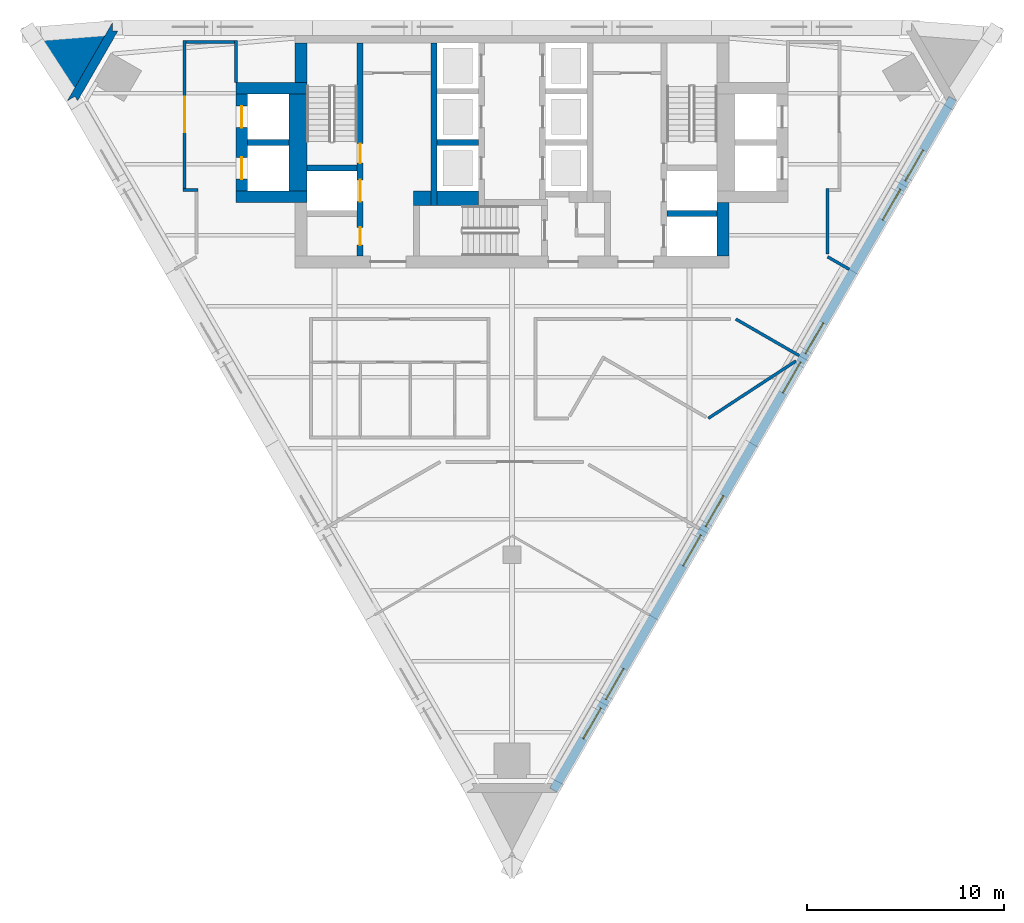
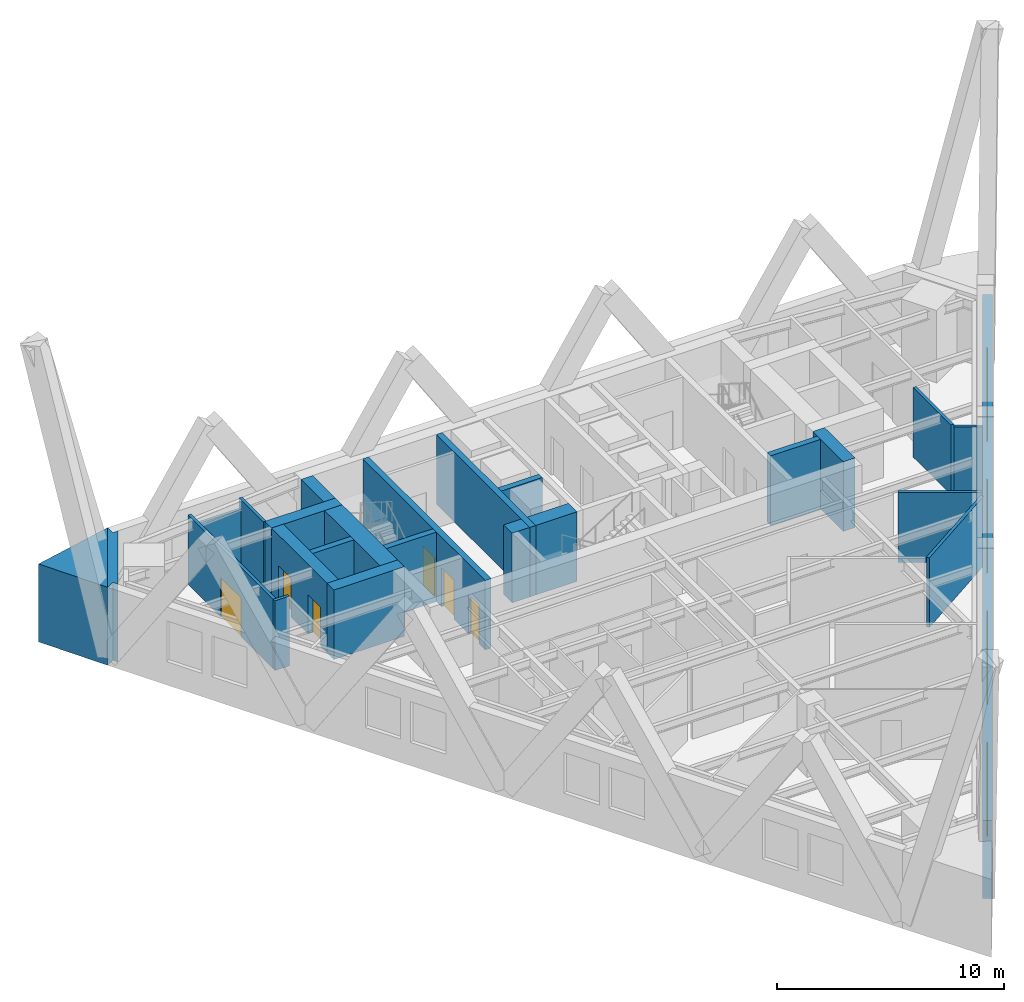
# One storey, part 4 of 8: 25 walls, 8 windows, 6 doors, 14 openings.
"""IFC4 building model written with IfcOpenShell, lengths in metres."""

import ifcopenshell
import ifcopenshell.guid

model = None  # the IFC model being written
_history = None  # IfcOwnerHistory: only IFC2X3 demands one
_inside = {}  # id of a spatial element -> (the spatial element, [elements in it])
_under = {}  # id of a project, library or spatial element -> (it, [spatial elements below it])
_declared = {}  # id of a project -> (the project, [libraries it declares])
_typed = {}  # id of a type object -> (the type object, [elements of that type])
_made_of = {}  # id of a material, layer set ... -> (it, [elements and type objects made of it])


def new_model(schema):
    """Start an empty IFC model of exactly this schema.

    Asked for "IFC4X3", IfcOpenShell would pick the latest addendum, in which some entities
    have other attributes; the version numbers below select the first issue.
    IFC2X3 requires an IfcOwnerHistory on every rooted entity: one is made here for all.
    """
    global model, _history
    if schema == "IFC4X3":
        model = ifcopenshell.file(schema_version=(4, 3, 0, 0))
    else:
        model = ifcopenshell.file(schema=schema)
    _inside.clear()
    _under.clear()
    _declared.clear()
    _typed.clear()
    _made_of.clear()
    _history = None
    if model.schema == "IFC2X3":
        org = make("IfcOrganization", Name="unknown")
        user = make(
            "IfcPersonAndOrganization",
            ThePerson=make("IfcPerson", FamilyName="unknown"),
            TheOrganization=org,
        )
        app = make(
            "IfcApplication",
            ApplicationDeveloper=org,
            Version="unknown",
            ApplicationFullName="unknown",
            ApplicationIdentifier="unknown",
        )
        _history = make(
            "IfcOwnerHistory",
            OwningUser=user,
            OwningApplication=app,
            ChangeAction="ADDED",
            CreationDate=0,
        )
    return model


def make(cls, **values):
    """One entity of the class cls with the attributes given. An attribute that is None is left unset."""
    return model.create_entity(
        cls, **{name: value for name, value in values.items() if value is not None}
    )


def rooted(cls, **values):
    """An entity with a GlobalId (a new one), such as an element, a storey or a relation."""
    return make(cls, GlobalId=ifcopenshell.guid.new(), OwnerHistory=_history, **values)


def si_unit(unit_type, name, prefix=None):
    """IfcSIUnit, for example si_unit("LENGTHUNIT", "METRE", prefix="MILLI")."""
    return make("IfcSIUnit", UnitType=unit_type, Prefix=prefix, Name=name)


def assignment(units):
    """IfcUnitAssignment: the units of a project."""
    return None if units is None else make("IfcUnitAssignment", Units=units)


def point(xyz):
    """IfcCartesianPoint."""
    return None if xyz is None else make("IfcCartesianPoint", Coordinates=xyz)


def direction(xyz):
    """IfcDirection."""
    return None if xyz is None else make("IfcDirection", DirectionRatios=xyz)


def frame(location, z_axis=None, x_axis=None):
    """IfcAxis2Placement3D, a coordinate frame: its origin and axes. An axis left out is left unset."""
    return make(
        "IfcAxis2Placement3D",
        Location=point(location),
        Axis=direction(z_axis),
        RefDirection=direction(x_axis),
    )


def frame_2d(location, x_axis=None):
    """IfcAxis2Placement2D, a coordinate frame in the plane: its origin and x axis."""
    return make(
        "IfcAxis2Placement2D", Location=point(location), RefDirection=direction(x_axis)
    )


def origin():
    """The frame at (0, 0, 0) with its axes left unset."""
    return frame((0.0, 0.0, 0.0))


def place(relative_to, where):
    """IfcLocalPlacement: puts the frame where relative to a parent placement (None: the world)."""
    return make(
        "IfcLocalPlacement", PlacementRelTo=relative_to, RelativePlacement=where
    )


def context(
    kind, dimensions, precision=None, world=None, true_north=None, identifier=None
):
    """IfcGeometricRepresentationContext, for example the 3D "Model" context."""
    return make(
        "IfcGeometricRepresentationContext",
        ContextIdentifier=identifier,
        ContextType=kind,
        CoordinateSpaceDimension=dimensions,
        Precision=precision,
        WorldCoordinateSystem=world,
        TrueNorth=true_north,
    )


def subcontext(parent, identifier, kind, view, scale=None):
    """IfcGeometricRepresentationSubContext, for example "Body" below "Model"."""
    return make(
        "IfcGeometricRepresentationSubContext",
        ContextIdentifier=identifier,
        ContextType=kind,
        ParentContext=parent,
        TargetScale=scale,
        TargetView=view,
    )


def project(units=None, contexts=None):
    """IfcProject with its units and contexts."""
    return rooted(
        "IfcProject",
        Name="project",
        RepresentationContexts=contexts,
        UnitsInContext=assignment(units),
    )


def spatial(cls, under=None, at=None, **own):
    """A site, building, storey or space (cls), placed at a placement, below another one or the project."""
    s = rooted(cls, ObjectPlacement=at, **own)
    if under is not None:
        _under.setdefault(under.id(), (under, []))[1].append(s)
    return s


def polyline(points):
    """IfcPolyline through the points."""
    return make("IfcPolyline", Points=[point(p) for p in points])


def profile(cls, at=None, kind="AREA", **sizes):
    """A parametric profile (cls). Its sizes go by their IFC names, for example OverallWidth=200.0."""
    return make(cls, ProfileType=kind, Position=at, **sizes)


def rectangle(**sizes):
    """IfcRectangleProfileDef."""
    return profile("IfcRectangleProfileDef", **sizes)


def outline(outer, holes=None, kind="AREA"):
    """IfcArbitraryClosedProfileDef: a profile drawn as a closed curve; with holes, ...WithVoids."""
    if holes is None:
        return make("IfcArbitraryClosedProfileDef", ProfileType=kind, OuterCurve=outer)
    return make(
        "IfcArbitraryProfileDefWithVoids",
        ProfileType=kind,
        OuterCurve=outer,
        InnerCurves=holes,
    )


def extrude(swept, where, along, depth):
    """IfcExtrudedAreaSolid: the profile swept, set in the frame where, extruded along a direction by depth."""
    return make(
        "IfcExtrudedAreaSolid",
        SweptArea=swept,
        Position=where,
        ExtrudedDirection=direction(along),
        Depth=depth,
    )


def shape(context_of_items, identifier, shape_type, items):
    """IfcShapeRepresentation: the items that make up one representation, for example the "Body"."""
    return make(
        "IfcShapeRepresentation",
        ContextOfItems=context_of_items,
        RepresentationIdentifier=identifier,
        RepresentationType=shape_type,
        Items=items,
    )


def material(Name=None, Category=None):
    """IfcMaterial."""
    return make("IfcMaterial", Name=Name, Category=Category)


def layer(
    of_material, thickness, ventilated=None, Name=None, Category=None, Priority=None
):
    """IfcMaterialLayer: one layer of a wall or slab, of a material (None: an air gap)."""
    return make(
        "IfcMaterialLayer",
        Material=of_material,
        LayerThickness=thickness,
        IsVentilated=ventilated,
        Name=Name,
        Category=Category,
        Priority=Priority,
    )


def layer_set(layers, Name=None):
    """IfcMaterialLayerSet."""
    return make("IfcMaterialLayerSet", MaterialLayers=layers, LayerSetName=Name)


def made_of(thing, what):
    """Note that an element or type object is made of a material, layer set ...; save() writes the relation."""
    if what is not None:
        _made_of.setdefault(what.id(), (what, []))[1].append(thing)
    return thing


def type_object(cls, material=None, **own):
    """A type object (cls), such as IfcWallType, which elements share."""
    return made_of(rooted(cls, **own), material)


def element(
    cls,
    number,
    at=None,
    inside=None,
    cuts=None,
    type_object=None,
    material=None,
    context=None,
    identifier="Body",
    shape_type=None,
    held_by="IfcProductDefinitionShape",
    body=None,
    shapes=None,
    **own,
):
    """One element of the class cls, such as IfcWall. Its Tag is "e" and its number.

    at: its placement. inside: the storey or other place that contains it. cuts: it is an
    opening in that element (IfcRelVoidsElement). A single representation is given by context,
    identifier, shape_type and body (its items); several are given by shapes. held_by: the class
    of the entity that holds the representations. save() writes the other relations.
    """
    e = rooted(cls, Tag="e%d" % number, ObjectPlacement=at, **own)
    if body is not None:
        shapes = [shape(context, identifier, shape_type, body)]
    if shapes is not None:
        e.Representation = make(held_by, Representations=shapes)
    if inside is not None:
        _inside.setdefault(inside.id(), (inside, []))[1].append(e)
    if cuts is not None:
        rooted(
            "IfcRelVoidsElement", RelatingBuildingElement=cuts, RelatedOpeningElement=e
        )
    if type_object is not None:
        _typed.setdefault(type_object.id(), (type_object, []))[1].append(e)
    return made_of(e, material)


def fill(opening, filler):
    """IfcRelFillsElement: the door or window that sits in an opening."""
    return rooted(
        "IfcRelFillsElement",
        RelatingOpeningElement=opening,
        RelatedBuildingElement=filler,
    )


def aggregate(whole, parts):
    """IfcRelAggregates: a whole, such as a stair, and the parts it consists of."""
    return rooted("IfcRelAggregates", RelatingObject=whole, RelatedObjects=parts)


def save(model, path):
    """Write the relations noted so far, then the file.

    IfcRelAggregates (storeys below a building ...), IfcRelContainedInSpatialStructure (elements
    in a storey), IfcRelDefinesByType, IfcRelAssociatesMaterial and IfcRelDeclares: one each for
    every whole, place, type object, material and project.
    """
    for whole, parts in _under.values():
        aggregate(whole, parts)
    for where, things in _inside.values():
        rooted(
            "IfcRelContainedInSpatialStructure",
            RelatedElements=things,
            RelatingStructure=where,
        )
    for kind, things in _typed.values():
        rooted("IfcRelDefinesByType", RelatedObjects=things, RelatingType=kind)
    for what, things in _made_of.values():
        rooted("IfcRelAssociatesMaterial", RelatedObjects=things, RelatingMaterial=what)
    for by, libraries in _declared.values():
        rooted("IfcRelDeclares", RelatingContext=by, RelatedDefinitions=libraries)
    model.write(path)


model = new_model("IFC4")

# Units and contexts
model_context = context("Model", 3, precision=1e-05, world=origin(), true_north=direction((0.0, 1.0)))
body_context = subcontext(model_context, "Body", "Model", "MODEL_VIEW")
ifc_project = project(units=[si_unit("LENGTHUNIT", "METRE"), si_unit("AREAUNIT", "SQUARE_METRE"), si_unit("VOLUMEUNIT", "CUBIC_METRE"), si_unit("PLANEANGLEUNIT", "RADIAN"), si_unit("MASSUNIT", "GRAM", prefix="KILO")], contexts=[model_context])

# Site, building, storey
site_placement = place(None, origin())
site = spatial("IfcSite", under=ifc_project, at=site_placement, CompositionType="ELEMENT")
building_placement = place(site_placement, origin())
building = spatial("IfcBuilding", under=site, at=building_placement, Name="Aloe Facet Convention Tower", CompositionType="ELEMENT")
storey_placement = place(building_placement, frame((0.0, 0.0, 128.60009765625)))
storey = spatial("IfcBuildingStorey", under=building, at=storey_placement, Name="L32", CompositionType="ELEMENT", Elevation=128.60009765625)

# Walls
ifc_material_1 = material(Name="Concrete C60/75", Category="concrete")
ifc_layer_1 = layer(ifc_material_1, 0.300048828125)
ifc_layer_set_1 = layer_set([ifc_layer_1], Name="CR-W-RC300-C6075")
wall_type_1 = type_object("IfcWallType", Name="CR-W-RC300-C6075", PredefinedType="SOLIDWALL", material=ifc_layer_set_1)
wall_1_placement = place(storey_placement, frame((66.60009765625, 128.89990234375, 0.0), z_axis=(0.0, 0.0, 1.0), x_axis=(1.0, 0.0, 0.0)))
element("IfcWall", 1, at=wall_1_placement, inside=storey, type_object=wall_type_1, Name="Core wall L32-004", PredefinedType="SOLIDWALL", context=body_context, shape_type="SweptSolid", body=[
    extrude(rectangle(XDim=2.099853515625, YDim=0.300048828125, at=frame_2d((1.0498046875, 0.0))), origin(), (0.0, 0.0, 1.0), 3.75),
])
wall_2_placement = place(storey_placement, frame((69.60009765625, 127.60009765625, 0.0), z_axis=(0.0, 0.0, 1.0), x_axis=(1.0, 0.0, 0.0)))
element("IfcWall", 2, at=wall_2_placement, inside=storey, type_object=wall_type_1, Name="Core wall L32-010", PredefinedType="SOLIDWALL", context=body_context, shape_type="SweptSolid", body=[
    extrude(rectangle(XDim=2.5498046875, YDim=0.300048828125, at=frame_2d((1.27490234375, 0.0))), origin(), (0.0, 0.0, 1.0), 3.75),
])

# Wall, openings, doors
wall_3_placement = place(storey_placement, frame((72.300048828125, 133.949951171875, 0.0), z_axis=(0.0, 0.0, 1.0), x_axis=(0.0, -1.0, 0.0)))
wall_3 = element("IfcWall", 3, at=wall_3_placement, inside=storey, type_object=wall_type_1, Name="Core wall L32-012", PredefinedType="SOLIDWALL", context=body_context, shape_type="SweptSolid", body=[
    extrude(rectangle(XDim=10.800048828125, YDim=0.300048828125, at=frame_2d((5.39990234375, 0.0))), origin(), (0.0, 0.0, 1.0), 3.75),
])
opening_1_placement = place(wall_3_placement, frame((6.949951171875, 0.0, 0.0)))
opening_1 = element("IfcOpeningElement", 4, at=opening_1_placement, cuts=wall_3, Name="Opening LD-FF1-L32", PredefinedType="OPENING", context=body_context, shape_type="SweptSolid", body=[
    extrude(rectangle(XDim=1.10009765625, YDim=2.10009765625, at=frame_2d((0.550048828125, 1.050048828125))), frame((0.0, 0.16015625, 0.0), z_axis=(0.0, -1.0, 0.0), x_axis=(1.0, 0.0, 0.0)), (0.0, 0.0, 1.0), 0.320068359375),
])
opening_2_placement = place(wall_3_placement, frame((9.35009765625, 0.0, 0.0)))
opening_2 = element("IfcOpeningElement", 5, at=opening_2_placement, cuts=wall_3, Name="Opening L32-CD15", PredefinedType="OPENING", context=body_context, shape_type="SweptSolid", body=[
    extrude(rectangle(XDim=0.89990234375, YDim=2.10009765625, at=frame_2d((0.449951171875, 1.050048828125))), frame((0.0, 0.16015625, 0.0), z_axis=(0.0, -1.0, 0.0), x_axis=(1.0, 0.0, 0.0)), (0.0, 0.0, 1.0), 0.320068359375),
])
opening_3_placement = place(wall_3_placement, frame((5.10009765625, 0.0, 0.0)))
opening_3 = element("IfcOpeningElement", 6, at=opening_3_placement, cuts=wall_3, Name="Opening L32-CD20", PredefinedType="OPENING", context=body_context, shape_type="SweptSolid", body=[
    extrude(rectangle(XDim=1.0, YDim=2.10009765625, at=frame_2d((0.5, 1.050048828125))), frame((0.0, 0.16015625, 0.0), z_axis=(0.0, -1.0, 0.0), x_axis=(1.0, 0.0, 0.0)), (0.0, 0.0, 1.0), 0.320068359375),
])
ifc_material_2 = material(Name="Steel fire-resisting door set FD60", Category="steel")
door_type_1 = type_object("IfcDoorType", Name="CR-D-ROOM-900-FD60-SLEFT", OperationType="SINGLE_SWING_LEFT", PredefinedType="DOOR", material=ifc_material_2)
door_1_placement = place(opening_2_placement, origin())
door_1 = element("IfcDoor", 7, at=door_1_placement, inside=storey, type_object=door_type_1, Name="Core door L32-CD15", OperationType="SINGLE_SWING_LEFT", OverallHeight=2.10009765625, OverallWidth=0.89990234375, PredefinedType="DOOR", context=body_context, shape_type="SweptSolid", body=[
    extrude(rectangle(XDim=0.89990234375, YDim=2.10009765625, at=frame_2d((0.449951171875, 1.050048828125))), frame((0.0, 0.02490234375, 0.0), z_axis=(0.0, -1.0, 0.0), x_axis=(1.0, 0.0, 0.0)), (0.0, 0.0, 1.0), 0.050048828125),
])
fill(opening_2, door_1)
ifc_material_3 = material(Name="Steel fire-resisting door set FD120", Category="steel")
door_type_2 = type_object("IfcDoorType", Name="CR-D-STAIR-1000-FD120-SRIGHT", OperationType="SINGLE_SWING_RIGHT", PredefinedType="DOOR", material=ifc_material_3)
door_2_placement = place(opening_3_placement, origin())
door_2 = element("IfcDoor", 8, at=door_2_placement, inside=storey, type_object=door_type_2, Name="Core door L32-CD20", OperationType="SINGLE_SWING_RIGHT", OverallHeight=2.10009765625, OverallWidth=1.0, PredefinedType="DOOR", context=body_context, shape_type="SweptSolid", body=[
    extrude(rectangle(XDim=1.0, YDim=2.10009765625, at=frame_2d((0.5, 1.050048828125))), frame((0.0, 0.02490234375, 0.0), z_axis=(0.0, -1.0, 0.0), x_axis=(1.0, 0.0, 0.0)), (0.0, 0.0, 1.0), 0.050048828125),
])
fill(opening_3, door_2)
ifc_material_4 = material(Name="Stainless steel sliding landing door", Category="steel")
door_type_3 = type_object("IfcDoorType", Name="CR-LD-1100-FD120-_LEFT", OperationType="SLIDING_TO_LEFT", PredefinedType="DOOR", material=ifc_material_4)
door_3_placement = place(opening_1_placement, origin())
door_3 = element("IfcDoor", 9, at=door_3_placement, inside=storey, type_object=door_type_3, Name="Landing door FF1 L32", OperationType="SLIDING_TO_LEFT", OverallHeight=2.10009765625, OverallWidth=1.10009765625, PredefinedType="DOOR", context=body_context, shape_type="SweptSolid", body=[
    extrude(rectangle(XDim=1.10009765625, YDim=2.10009765625, at=frame_2d((0.550048828125, 1.050048828125))), frame((0.0, 0.02490234375, 0.0), z_axis=(0.0, -1.0, 0.0), x_axis=(1.0, 0.0, 0.0)), (0.0, 0.0, 1.0), 0.050048828125),
])
fill(opening_1, door_3)

# Walls
wall_4_placement = place(storey_placement, frame((76.050048828125, 133.949951171875, 0.0), z_axis=(0.0, 0.0, 1.0), x_axis=(0.0, -1.0, 0.0)))
element("IfcWall", 10, at=wall_4_placement, inside=storey, type_object=wall_type_1, Name="Core wall L32-016", PredefinedType="SOLIDWALL", context=body_context, shape_type="SweptSolid", body=[
    extrude(rectangle(XDim=8.25, YDim=0.300048828125, at=frame_2d((4.125, 0.0))), origin(), (0.0, 0.0, 1.0), 3.75),
])
wall_5_placement = place(storey_placement, frame((76.199951171875, 128.89990234375, 0.0), z_axis=(0.0, 0.0, 1.0), x_axis=(1.0, 0.0, 0.0)))
element("IfcWall", 11, at=wall_5_placement, inside=storey, type_object=wall_type_1, Name="Core wall L32-018", PredefinedType="SOLIDWALL", context=body_context, shape_type="SweptSolid", body=[
    extrude(rectangle(XDim=2.10009765625, YDim=0.300048828125, at=frame_2d((1.050048828125, 0.0))), origin(), (0.0, 0.0, 1.0), 3.75),
])
wall_6_placement = place(storey_placement, frame((87.85009765625, 125.300048828125, 0.0), z_axis=(0.0, 0.0, 1.0), x_axis=(1.0, 0.0, 0.0)))
element("IfcWall", 12, at=wall_6_placement, inside=storey, type_object=wall_type_1, Name="Core wall L32-036", PredefinedType="SOLIDWALL", context=body_context, shape_type="SweptSolid", body=[
    extrude(rectangle(XDim=2.5498046875, YDim=0.300048828125, at=frame_2d((1.27490234375, 0.0))), origin(), (0.0, 0.0, 1.0), 3.75),
])
ifc_material_5 = material(Name="Concrete C60/75", Category="concrete")
ifc_layer_2 = layer(ifc_material_5, 0.60009765625)
ifc_layer_set_2 = layer_set([ifc_layer_2], Name="CR-W-RC600-C6075")
wall_type_2 = type_object("IfcWallType", Name="CR-W-RC600-C6075", PredefinedType="SOLIDWALL", material=ifc_layer_set_2)
wall_7_placement = place(storey_placement, frame((66.0, 131.64990234375, 0.0), z_axis=(0.0, 0.0, 1.0), x_axis=(1.0, 0.0, 0.0)))
element("IfcWall", 13, at=wall_7_placement, inside=storey, type_object=wall_type_2, Name="Core wall L32-001", PredefinedType="SOLIDWALL", context=body_context, shape_type="SweptSolid", body=[
    extrude(rectangle(XDim=3.60009765625, YDim=0.60009765625, at=frame_2d((1.800048828125, 0.0))), origin(), (0.0, 0.0, 1.0), 3.75),
])

# Wall, openings, doors
wall_8_placement = place(storey_placement, frame((66.300048828125, 131.35009765625, 0.0), z_axis=(0.0, 0.0, 1.0), x_axis=(0.0, -1.0, 0.0)))
wall_8 = element("IfcWall", 14, at=wall_8_placement, inside=storey, type_object=wall_type_2, Name="Core wall L32-002", PredefinedType="SOLIDWALL", context=body_context, shape_type="SweptSolid", body=[
    extrude(rectangle(XDim=4.900146484375, YDim=0.60009765625, at=frame_2d((2.4501953125, 0.0))), origin(), (0.0, 0.0, 1.0), 3.75),
])
opening_4_placement = place(wall_8_placement, frame((0.60009765625, 0.0, 0.0)))
opening_4 = element("IfcOpeningElement", 15, at=opening_4_placement, cuts=wall_8, Name="Opening LD-SH1-L32", PredefinedType="OPENING", context=body_context, shape_type="SweptSolid", body=[
    extrude(rectangle(XDim=1.10009765625, YDim=2.10009765625, at=frame_2d((0.550048828125, 1.050048828125))), frame((0.0, 0.31005859375, 0.0), z_axis=(0.0, -1.0, 0.0), x_axis=(1.0, 0.0, 0.0)), (0.0, 0.0, 1.0), 0.6201171875),
])
opening_5_placement = place(wall_8_placement, frame((3.199951171875, 0.0, 0.0)))
opening_5 = element("IfcOpeningElement", 16, at=opening_5_placement, cuts=wall_8, Name="Opening LD-SH2-L32", PredefinedType="OPENING", context=body_context, shape_type="SweptSolid", body=[
    extrude(rectangle(XDim=1.10009765625, YDim=2.10009765625, at=frame_2d((0.550048828125, 1.050048828125))), frame((0.0, 0.31005859375, 0.0), z_axis=(0.0, -1.0, 0.0), x_axis=(1.0, 0.0, 0.0)), (0.0, 0.0, 1.0), 0.6201171875),
])
ifc_material_6 = material(Name="Stainless steel sliding landing door", Category="steel")
door_type_4 = type_object("IfcDoorType", Name="CR-LD-1100-FD60-_LEFT", OperationType="SLIDING_TO_LEFT", PredefinedType="DOOR", material=ifc_material_6)
door_4_placement = place(opening_4_placement, origin())
door_4 = element("IfcDoor", 17, at=door_4_placement, inside=storey, type_object=door_type_4, Name="Landing door SH1 L32", OperationType="SLIDING_TO_LEFT", OverallHeight=2.10009765625, OverallWidth=1.10009765625, PredefinedType="DOOR", context=body_context, shape_type="SweptSolid", body=[
    extrude(rectangle(XDim=1.10009765625, YDim=2.10009765625, at=frame_2d((0.550048828125, 1.050048828125))), frame((0.0, 0.02490234375, 0.0), z_axis=(0.0, -1.0, 0.0), x_axis=(1.0, 0.0, 0.0)), (0.0, 0.0, 1.0), 0.050048828125),
])
fill(opening_4, door_4)
door_5_placement = place(opening_5_placement, origin())
door_5 = element("IfcDoor", 18, at=door_5_placement, inside=storey, type_object=door_type_4, Name="Landing door SH2 L32", OperationType="SLIDING_TO_LEFT", OverallHeight=2.10009765625, OverallWidth=1.10009765625, PredefinedType="DOOR", context=body_context, shape_type="SweptSolid", body=[
    extrude(rectangle(XDim=1.10009765625, YDim=2.10009765625, at=frame_2d((0.550048828125, 1.050048828125))), frame((0.0, 0.02490234375, 0.0), z_axis=(0.0, -1.0, 0.0), x_axis=(1.0, 0.0, 0.0)), (0.0, 0.0, 1.0), 0.050048828125),
])
fill(opening_5, door_5)

# Walls
wall_9_placement = place(storey_placement, frame((66.0, 126.14990234375, 0.0), z_axis=(0.0, 0.0, 1.0), x_axis=(1.0, 0.0, 0.0)))
element("IfcWall", 19, at=wall_9_placement, inside=storey, type_object=wall_type_2, Name="Core wall L32-003", PredefinedType="SOLIDWALL", context=body_context, shape_type="SweptSolid", body=[
    extrude(rectangle(XDim=3.60009765625, YDim=0.60009765625, at=frame_2d((1.800048828125, 0.0))), origin(), (0.0, 0.0, 1.0), 3.75),
])
wall_10_placement = place(storey_placement, frame((69.300048828125, 133.949951171875, 0.0), z_axis=(0.0, 0.0, 1.0), x_axis=(0.0, -1.0, 0.0)))
element("IfcWall", 20, at=wall_10_placement, inside=storey, type_object=wall_type_2, Name="Core wall L32-007", PredefinedType="SOLIDWALL", context=body_context, shape_type="SweptSolid", body=[
    extrude(rectangle(XDim=2.0, YDim=0.60009765625, at=frame_2d((1.0, 0.0))), origin(), (0.0, 0.0, 1.0), 3.75),
])
wall_11_placement = place(storey_placement, frame((90.699951171875, 125.85009765625, 0.0), z_axis=(0.0, 0.0, 1.0), x_axis=(0.0, -1.0, 0.0)))
element("IfcWall", 21, at=wall_11_placement, inside=storey, type_object=wall_type_2, Name="Core wall L32-041", PredefinedType="SOLIDWALL", context=body_context, shape_type="SweptSolid", body=[
    extrude(rectangle(XDim=2.7001953125, YDim=0.60009765625, at=frame_2d((1.35009765625, 0.0))), origin(), (0.0, 0.0, 1.0), 3.75),
])
ifc_material_7 = material(Name="Concrete C60/75", Category="concrete")
ifc_layer_3 = layer(ifc_material_7, 0.75)
ifc_layer_set_3 = layer_set([ifc_layer_3], Name="CR-W-RC750-C6075")
wall_type_3 = type_object("IfcWallType", Name="CR-W-RC750-C6075", PredefinedType="SOLIDWALL", material=ifc_layer_set_3)
wall_12_placement = place(storey_placement, frame((75.0, 126.074951171875, 0.0), z_axis=(0.0, 0.0, 1.0), x_axis=(1.0, 0.0, 0.0)))
element("IfcWall", 22, at=wall_12_placement, inside=storey, type_object=wall_type_3, Name="Core wall L32-014", PredefinedType="SOLIDWALL", context=body_context, shape_type="SweptSolid", body=[
    extrude(rectangle(XDim=0.89990234375, YDim=0.75, at=frame_2d((0.449951171875, 0.0))), origin(), (0.0, 0.0, 1.0), 3.75),
])
wall_13_placement = place(storey_placement, frame((76.199951171875, 126.074951171875, 0.0), z_axis=(0.0, 0.0, 1.0), x_axis=(1.0, 0.0, 0.0)))
element("IfcWall", 23, at=wall_13_placement, inside=storey, type_object=wall_type_3, Name="Core wall L32-019", PredefinedType="SOLIDWALL", context=body_context, shape_type="SweptSolid", body=[
    extrude(rectangle(XDim=2.10009765625, YDim=0.75, at=frame_2d((1.050048828125, 0.0))), origin(), (0.0, 0.0, 1.0), 3.75),
])
ifc_material_8 = material(Name="Concrete C60/75", Category="concrete")
ifc_layer_4 = layer(ifc_material_8, 0.89990234375)
ifc_layer_set_4 = layer_set([ifc_layer_4], Name="CR-W-RC900-C6075")
wall_type_4 = type_object("IfcWallType", Name="CR-W-RC900-C6075", PredefinedType="SOLIDWALL", material=ifc_layer_set_4)
wall_14_placement = place(storey_placement, frame((69.14990234375, 131.35009765625, 0.0), z_axis=(0.0, 0.0, 1.0), x_axis=(0.0, -1.0, 0.0)))
element("IfcWall", 24, at=wall_14_placement, inside=storey, type_object=wall_type_4, Name="Core wall L32-005", PredefinedType="SOLIDWALL", context=body_context, shape_type="SweptSolid", body=[
    extrude(rectangle(XDim=4.900146484375, YDim=0.89990234375, at=frame_2d((2.4501953125, 0.0))), origin(), (0.0, 0.0, 1.0), 3.75),
])
ifc_material_9 = material(Name="Precast concrete C40/50", Category="concrete")
ifc_layer_5 = layer(ifc_material_9, 0.449951171875)
ifc_layer_set_5 = layer_set([ifc_layer_5], Name="EV-WALL-PIER")
wall_type_5 = type_object("IfcWallType", Name="EV-WALL-PIER", PredefinedType="SOLIDWALL", material=ifc_layer_set_5)
wall_15_placement = place(storey_placement, frame((0.0, 0.0, -0.4501953125)))
element("IfcWall", 25, at=wall_15_placement, inside=storey, type_object=wall_type_5, Name="EP-L32-A", PredefinedType="SOLIDWALL", context=body_context, shape_type="SweptSolid", body=[
    extrude(outline(polyline([(59.7568359375, 135.0), (59.7568359375, 134.550048828125), (60.016845703125, 134.550048828125), (57.9765625, 131.016357421875), (57.8466796875, 131.2412109375), (57.45703125, 131.016357421875), (59.7568359375, 135.0)])), origin(), (0.0, 0.0, 1.0), 4.2001953125),
])
ifc_material_10 = material(Name="Precast concrete C40/50", Category="concrete")
ifc_layer_6 = layer(ifc_material_10, 3.947998046875)
ifc_layer_set_6 = layer_set([ifc_layer_6], Name="EV-WALL-SPINE")
wall_type_6 = type_object("IfcWallType", Name="EV-WALL-SPINE", PredefinedType="SOLIDWALL", material=ifc_layer_set_6)
wall_16_placement = place(storey_placement, frame((0.0, 0.0, -0.4501953125)))
element("IfcWall", 26, at=wall_16_placement, inside=storey, type_object=wall_type_6, Name="SP-NW-L32", PredefinedType="SOLIDWALL", context=body_context, shape_type="SweptSolid", body=[
    extrude(outline(polyline([(59.7568359375, 135.0), (55.7197265625, 134.10595703125), (57.45703125, 131.016357421875), (59.7568359375, 135.0)])), origin(), (0.0, 0.0, 1.0), 4.2001953125),
])

# Wall, openings, windows
ifc_material_11 = material(Name="Precast concrete C40/50", Category="concrete")
ifc_layer_7 = layer(ifc_material_11, 0.449951171875)
ifc_layer_set_7 = layer_set([ifc_layer_7], Name="EV-WALL-STONE")
wall_type_7 = type_object("IfcWallType", Name="EV-WALL-STONE", PredefinedType="SOLIDWALL", material=ifc_layer_set_7)
wall_17_placement = place(storey_placement, frame((82.105224609375, 96.066650390625, -0.4501953125), z_axis=(0.0, 0.0, 1.0), x_axis=(0.499997369791, 0.866026922331, 0.0)))
wall_17 = element("IfcWall", 27, at=wall_17_placement, inside=storey, type_object=wall_type_7, Name="EW-L32-E01", PredefinedType="SOLIDWALL", context=body_context, shape_type="SweptSolid", body=[
    extrude(outline(polyline([(40.486083984375, 0.0), (40.486083984375, 4.2001953125), (0.0, 4.2001953125), (0.0, 0.0), (40.486083984375, 0.0)])), frame((0.0, 0.22509765625, 0.0), z_axis=(0.0, -1.0, 0.0), x_axis=(1.0, 0.0, 0.0)), (0.0, 0.0, 1.0), 0.449951171875),
])
opening_6_placement = place(wall_17_placement, frame((3.0107421875, 0.0, 1.25)))
opening_6 = element("IfcOpeningElement", 28, at=opening_6_placement, cuts=wall_17, Name="Opening W-L32-E01", PredefinedType="OPENING", context=body_context, shape_type="SweptSolid", body=[
    extrude(rectangle(XDim=1.800048828125, YDim=2.199951171875, at=frame_2d((0.89990234375, 1.10009765625))), frame((0.0, 0.23486328125, 0.0), z_axis=(0.0, -1.0, 0.0), x_axis=(1.0, 0.0, 0.0)), (0.0, 0.0, 1.0), 0.469970703125),
])
opening_7_placement = place(wall_17_placement, frame((5.310791015625, 0.0, 1.25)))
opening_7 = element("IfcOpeningElement", 29, at=opening_7_placement, cuts=wall_17, Name="Opening W-L32-E02", PredefinedType="OPENING", context=body_context, shape_type="SweptSolid", body=[
    extrude(rectangle(XDim=1.800048828125, YDim=2.199951171875, at=frame_2d((0.89990234375, 1.10009765625))), frame((0.0, 0.23486328125, 0.0), z_axis=(0.0, -1.0, 0.0), x_axis=(1.0, 0.0, 0.0)), (0.0, 0.0, 1.0), 0.469970703125),
])
opening_8_placement = place(wall_17_placement, frame((13.13232421875, 0.0, 1.25)))
opening_8 = element("IfcOpeningElement", 30, at=opening_8_placement, cuts=wall_17, Name="Opening W-L32-E03", PredefinedType="OPENING", context=body_context, shape_type="SweptSolid", body=[
    extrude(rectangle(XDim=1.800048828125, YDim=2.199951171875, at=frame_2d((0.89990234375, 1.10009765625))), frame((0.0, 0.23486328125, 0.0), z_axis=(0.0, -1.0, 0.0), x_axis=(1.0, 0.0, 0.0)), (0.0, 0.0, 1.0), 0.469970703125),
])
opening_9_placement = place(wall_17_placement, frame((15.432373046875, 0.0, 1.25)))
opening_9 = element("IfcOpeningElement", 31, at=opening_9_placement, cuts=wall_17, Name="Opening W-L32-E04", PredefinedType="OPENING", context=body_context, shape_type="SweptSolid", body=[
    extrude(rectangle(XDim=1.800048828125, YDim=2.199951171875, at=frame_2d((0.89990234375, 1.10009765625))), frame((0.0, 0.23486328125, 0.0), z_axis=(0.0, -1.0, 0.0), x_axis=(1.0, 0.0, 0.0)), (0.0, 0.0, 1.0), 0.469970703125),
])
opening_10_placement = place(wall_17_placement, frame((23.25390625, 0.0, 1.25)))
opening_10 = element("IfcOpeningElement", 32, at=opening_10_placement, cuts=wall_17, Name="Opening W-L32-E05", PredefinedType="OPENING", context=body_context, shape_type="SweptSolid", body=[
    extrude(rectangle(XDim=1.800048828125, YDim=2.199951171875, at=frame_2d((0.89990234375, 1.10009765625))), frame((0.0, 0.23486328125, 0.0), z_axis=(0.0, -1.0, 0.0), x_axis=(1.0, 0.0, 0.0)), (0.0, 0.0, 1.0), 0.469970703125),
])
opening_11_placement = place(wall_17_placement, frame((25.553955078125, 0.0, 1.25)))
opening_11 = element("IfcOpeningElement", 33, at=opening_11_placement, cuts=wall_17, Name="Opening W-L32-E06", PredefinedType="OPENING", context=body_context, shape_type="SweptSolid", body=[
    extrude(rectangle(XDim=1.800048828125, YDim=2.199951171875, at=frame_2d((0.89990234375, 1.10009765625))), frame((0.0, 0.23486328125, 0.0), z_axis=(0.0, -1.0, 0.0), x_axis=(1.0, 0.0, 0.0)), (0.0, 0.0, 1.0), 0.469970703125),
])
opening_12_placement = place(wall_17_placement, frame((33.37548828125, 0.0, 1.25)))
opening_12 = element("IfcOpeningElement", 34, at=opening_12_placement, cuts=wall_17, Name="Opening W-L32-E07", PredefinedType="OPENING", context=body_context, shape_type="SweptSolid", body=[
    extrude(rectangle(XDim=1.800048828125, YDim=2.199951171875, at=frame_2d((0.89990234375, 1.10009765625))), frame((0.0, 0.23486328125, 0.0), z_axis=(0.0, -1.0, 0.0), x_axis=(1.0, 0.0, 0.0)), (0.0, 0.0, 1.0), 0.469970703125),
])
opening_13_placement = place(wall_17_placement, frame((35.67529296875, 0.0, 1.25)))
opening_13 = element("IfcOpeningElement", 35, at=opening_13_placement, cuts=wall_17, Name="Opening W-L32-E08", PredefinedType="OPENING", context=body_context, shape_type="SweptSolid", body=[
    extrude(rectangle(XDim=1.800048828125, YDim=2.199951171875, at=frame_2d((0.89990234375, 1.10009765625))), frame((0.0, 0.23486328125, 0.0), z_axis=(0.0, -1.0, 0.0), x_axis=(1.0, 0.0, 0.0)), (0.0, 0.0, 1.0), 0.469970703125),
])
ifc_material_12 = material(Name="Aluminium frame, clear double glazing", Category="aluminium")
window_type = type_object("IfcWindowType", Name="EV-WIN-O18", PartitioningType="SINGLE_PANEL", PredefinedType="WINDOW", material=ifc_material_12)
window_1_placement = place(opening_6_placement, origin())
window_1 = element("IfcWindow", 36, at=window_1_placement, inside=storey, type_object=window_type, Name="W-L32-E01", OverallHeight=2.199951171875, OverallWidth=1.800048828125, PartitioningType="SINGLE_PANEL", PredefinedType="WINDOW", context=body_context, shape_type="SweptSolid", body=[
    extrude(rectangle(XDim=1.800048828125, YDim=2.199951171875, at=frame_2d((0.89990234375, 1.10009765625))), frame((0.0, 0.030029296875, 0.0), z_axis=(0.0, -1.0, 0.0), x_axis=(1.0, 0.0, 0.0)), (0.0, 0.0, 1.0), 0.06005859375),
])
fill(opening_6, window_1)
window_2_placement = place(opening_7_placement, origin())
window_2 = element("IfcWindow", 37, at=window_2_placement, inside=storey, type_object=window_type, Name="W-L32-E02", OverallHeight=2.199951171875, OverallWidth=1.800048828125, PartitioningType="SINGLE_PANEL", PredefinedType="WINDOW", context=body_context, shape_type="SweptSolid", body=[
    extrude(rectangle(XDim=1.800048828125, YDim=2.199951171875, at=frame_2d((0.89990234375, 1.10009765625))), frame((0.0, 0.030029296875, 0.0), z_axis=(0.0, -1.0, 0.0), x_axis=(1.0, 0.0, 0.0)), (0.0, 0.0, 1.0), 0.06005859375),
])
fill(opening_7, window_2)
window_3_placement = place(opening_8_placement, origin())
window_3 = element("IfcWindow", 38, at=window_3_placement, inside=storey, type_object=window_type, Name="W-L32-E03", OverallHeight=2.199951171875, OverallWidth=1.800048828125, PartitioningType="SINGLE_PANEL", PredefinedType="WINDOW", context=body_context, shape_type="SweptSolid", body=[
    extrude(rectangle(XDim=1.800048828125, YDim=2.199951171875, at=frame_2d((0.89990234375, 1.10009765625))), frame((0.0, 0.030029296875, 0.0), z_axis=(0.0, -1.0, 0.0), x_axis=(1.0, 0.0, 0.0)), (0.0, 0.0, 1.0), 0.06005859375),
])
fill(opening_8, window_3)
window_4_placement = place(opening_9_placement, origin())
window_4 = element("IfcWindow", 39, at=window_4_placement, inside=storey, type_object=window_type, Name="W-L32-E04", OverallHeight=2.199951171875, OverallWidth=1.800048828125, PartitioningType="SINGLE_PANEL", PredefinedType="WINDOW", context=body_context, shape_type="SweptSolid", body=[
    extrude(rectangle(XDim=1.800048828125, YDim=2.199951171875, at=frame_2d((0.89990234375, 1.10009765625))), frame((0.0, 0.030029296875, 0.0), z_axis=(0.0, -1.0, 0.0), x_axis=(1.0, 0.0, 0.0)), (0.0, 0.0, 1.0), 0.06005859375),
])
fill(opening_9, window_4)
window_5_placement = place(opening_10_placement, origin())
window_5 = element("IfcWindow", 40, at=window_5_placement, inside=storey, type_object=window_type, Name="W-L32-E05", OverallHeight=2.199951171875, OverallWidth=1.800048828125, PartitioningType="SINGLE_PANEL", PredefinedType="WINDOW", context=body_context, shape_type="SweptSolid", body=[
    extrude(rectangle(XDim=1.800048828125, YDim=2.199951171875, at=frame_2d((0.89990234375, 1.10009765625))), frame((0.0, 0.030029296875, 0.0), z_axis=(0.0, -1.0, 0.0), x_axis=(1.0, 0.0, 0.0)), (0.0, 0.0, 1.0), 0.06005859375),
])
fill(opening_10, window_5)
window_6_placement = place(opening_11_placement, origin())
window_6 = element("IfcWindow", 41, at=window_6_placement, inside=storey, type_object=window_type, Name="W-L32-E06", OverallHeight=2.199951171875, OverallWidth=1.800048828125, PartitioningType="SINGLE_PANEL", PredefinedType="WINDOW", context=body_context, shape_type="SweptSolid", body=[
    extrude(rectangle(XDim=1.800048828125, YDim=2.199951171875, at=frame_2d((0.89990234375, 1.10009765625))), frame((0.0, 0.030029296875, 0.0), z_axis=(0.0, -1.0, 0.0), x_axis=(1.0, 0.0, 0.0)), (0.0, 0.0, 1.0), 0.06005859375),
])
fill(opening_11, window_6)
window_7_placement = place(opening_12_placement, origin())
window_7 = element("IfcWindow", 42, at=window_7_placement, inside=storey, type_object=window_type, Name="W-L32-E07", OverallHeight=2.199951171875, OverallWidth=1.800048828125, PartitioningType="SINGLE_PANEL", PredefinedType="WINDOW", context=body_context, shape_type="SweptSolid", body=[
    extrude(rectangle(XDim=1.800048828125, YDim=2.199951171875, at=frame_2d((0.89990234375, 1.10009765625))), frame((0.0, 0.030029296875, 0.0), z_axis=(0.0, -1.0, 0.0), x_axis=(1.0, 0.0, 0.0)), (0.0, 0.0, 1.0), 0.06005859375),
])
fill(opening_12, window_7)
window_8_placement = place(opening_13_placement, origin())
window_8 = element("IfcWindow", 43, at=window_8_placement, inside=storey, type_object=window_type, Name="W-L32-E08", OverallHeight=2.199951171875, OverallWidth=1.800048828125, PartitioningType="SINGLE_PANEL", PredefinedType="WINDOW", context=body_context, shape_type="SweptSolid", body=[
    extrude(rectangle(XDim=1.800048828125, YDim=2.199951171875, at=frame_2d((0.89990234375, 1.10009765625))), frame((0.0, 0.030029296875, 0.0), z_axis=(0.0, -1.0, 0.0), x_axis=(1.0, 0.0, 0.0)), (0.0, 0.0, 1.0), 0.06005859375),
])
fill(opening_13, window_8)

# Walls
ifc_material_13 = material(Name="Gypsum board partition on steel studs", Category="steel")
ifc_layer_8 = layer(ifc_material_13, 0.14990234375)
ifc_layer_set_8 = layer_set([ifc_layer_8], Name="IN-W-CORR")
wall_type_8 = type_object("IfcWallType", Name="IN-W-CORR", PredefinedType="PARTITIONING", material=ifc_layer_set_8)
wall_18_placement = place(storey_placement, frame((89.949462890625, 114.913818359375, 0.0), z_axis=(0.0, 0.0, 1.0), x_axis=(0.836714532982, 0.547639288488, 0.0)))
element("IfcWall", 44, at=wall_18_placement, inside=storey, type_object=wall_type_8, Name="Partition L32-W013", PredefinedType="PARTITIONING", context=body_context, shape_type="SweptSolid", body=[
    extrude(rectangle(XDim=5.31298828125, YDim=0.14990234375, at=frame_2d((2.656494140625, 0.0))), origin(), (0.0, 0.0, 1.0), 3.75),
])
wall_19_placement = place(storey_placement, frame((91.346435546875, 119.94970703125, 0.0), z_axis=(0.0, 0.0, 1.0), x_axis=(0.866027491634, -0.499996383721, 0.0)))
element("IfcWall", 45, at=wall_19_placement, inside=storey, type_object=wall_type_8, Name="Partition L32-W024", PredefinedType="PARTITIONING", context=body_context, shape_type="SweptSolid", body=[
    extrude(rectangle(XDim=3.703125, YDim=0.14990234375, at=frame_2d((1.8515625, 0.0))), origin(), (0.0, 0.0, 1.0), 3.75),
])
wall_20_placement = place(storey_placement, frame((96.0, 123.106689453125, 0.0), z_axis=(0.0, 0.0, 1.0), x_axis=(0.865995441363, -0.500051892845, 0.0)))
element("IfcWall", 46, at=wall_20_placement, inside=storey, type_object=wall_type_8, Name="Partition L32-W029", PredefinedType="PARTITIONING", context=body_context, shape_type="SweptSolid", body=[
    extrude(rectangle(XDim=1.261474609375, YDim=0.14990234375, at=frame_2d((0.630859375, 0.0))), origin(), (0.0, 0.0, 1.0), 3.75),
])
wall_21_placement = place(storey_placement, frame((96.0, 123.236572265625, 0.0), z_axis=(0.0, 0.0, 1.0), x_axis=(0.0, 1.0, 0.0)))
element("IfcWall", 47, at=wall_21_placement, inside=storey, type_object=wall_type_8, Name="Partition L32-W031", PredefinedType="PARTITIONING", context=body_context, shape_type="SweptSolid", body=[
    extrude(rectangle(XDim=3.33837890625, YDim=0.14990234375, at=frame_2d((1.669189453125, 0.0))), origin(), (0.0, 0.0, 1.0), 3.75),
])
wall_22_placement = place(storey_placement, frame((63.324951171875, 126.5, 0.0), z_axis=(0.0, 0.0, 1.0), x_axis=(1.0, 0.0, 0.0)))
element("IfcWall", 48, at=wall_22_placement, inside=storey, type_object=wall_type_8, Name="Partition L32-W032", PredefinedType="PARTITIONING", context=body_context, shape_type="SweptSolid", body=[
    extrude(rectangle(XDim=0.75, YDim=0.14990234375, at=frame_2d((0.375, 0.0))), origin(), (0.0, 0.0, 1.0), 3.75),
])
wall_23_placement = place(storey_placement, frame((66.0, 131.949951171875, 0.0), z_axis=(0.0, 0.0, 1.0), x_axis=(0.0, 1.0, 0.0)))
element("IfcWall", 49, at=wall_23_placement, inside=storey, type_object=wall_type_8, Name="Partition L32-W036", PredefinedType="PARTITIONING", context=body_context, shape_type="SweptSolid", body=[
    extrude(rectangle(XDim=2.125, YDim=0.14990234375, at=frame_2d((1.0625, 0.0))), origin(), (0.0, 0.0, 1.0), 3.75),
])

# Wall, opening, door
wall_24_placement = place(storey_placement, frame((63.39990234375, 126.574951171875, 0.0), z_axis=(0.0, 0.0, 1.0), x_axis=(0.0, 1.0, 0.0)))
wall_24 = element("IfcWall", 50, at=wall_24_placement, inside=storey, type_object=wall_type_8, Name="Partition L32-W037", PredefinedType="PARTITIONING", context=body_context, shape_type="SweptSolid", body=[
    extrude(rectangle(XDim=7.5, YDim=0.14990234375, at=frame_2d((3.75, 0.0))), origin(), (0.0, 0.0, 1.0), 3.75),
])
opening_14_placement = place(wall_24_placement, frame((2.85009765625, 0.0, 0.0)))
opening_14 = element("IfcOpeningElement", 51, at=opening_14_placement, cuts=wall_24, Name="Opening L32-007", PredefinedType="OPENING", context=body_context, shape_type="SweptSolid", body=[
    extrude(rectangle(XDim=1.800048828125, YDim=2.10009765625, at=frame_2d((0.89990234375, 1.050048828125))), frame((0.0, 0.0849609375, 0.0), z_axis=(0.0, -1.0, 0.0), x_axis=(1.0, 0.0, 0.0)), (0.0, 0.0, 1.0), 0.169921875),
])
ifc_material_14 = material(Name="Glazed timber door pair FD30S", Category="wood")
door_type_5 = type_object("IfcDoorType", Name="IN-OFF-D-SUITE", OperationType="DOUBLE_DOOR_SINGLE_SWING", PredefinedType="DOOR", material=ifc_material_14)
door_6_placement = place(opening_14_placement, origin())
door_6 = element("IfcDoor", 52, at=door_6_placement, inside=storey, type_object=door_type_5, Name="Door L32-007", OperationType="SINGLE_SWING_LEFT", OverallHeight=2.10009765625, OverallWidth=1.800048828125, PredefinedType="DOOR", context=body_context, shape_type="SweptSolid", body=[
    extrude(rectangle(XDim=1.800048828125, YDim=2.10009765625, at=frame_2d((0.89990234375, 1.050048828125))), frame((0.0, 0.02490234375, 0.0), z_axis=(0.0, -1.0, 0.0), x_axis=(1.0, 0.0, 0.0)), (0.0, 0.0, 1.0), 0.050048828125),
])
fill(opening_14, door_6)

# Wall
wall_25_placement = place(storey_placement, frame((63.47509765625, 134.0, 0.0), z_axis=(0.0, 0.0, 1.0), x_axis=(1.0, 0.0, 0.0)))
element("IfcWall", 53, at=wall_25_placement, inside=storey, type_object=wall_type_8, Name="Partition L32-W038", PredefinedType="PARTITIONING", context=body_context, shape_type="SweptSolid", body=[
    extrude(rectangle(XDim=2.449951171875, YDim=0.14990234375, at=frame_2d((1.22509765625, 0.0))), origin(), (0.0, 0.0, 1.0), 3.206787109375),
])

save(model, "model.ifc")
